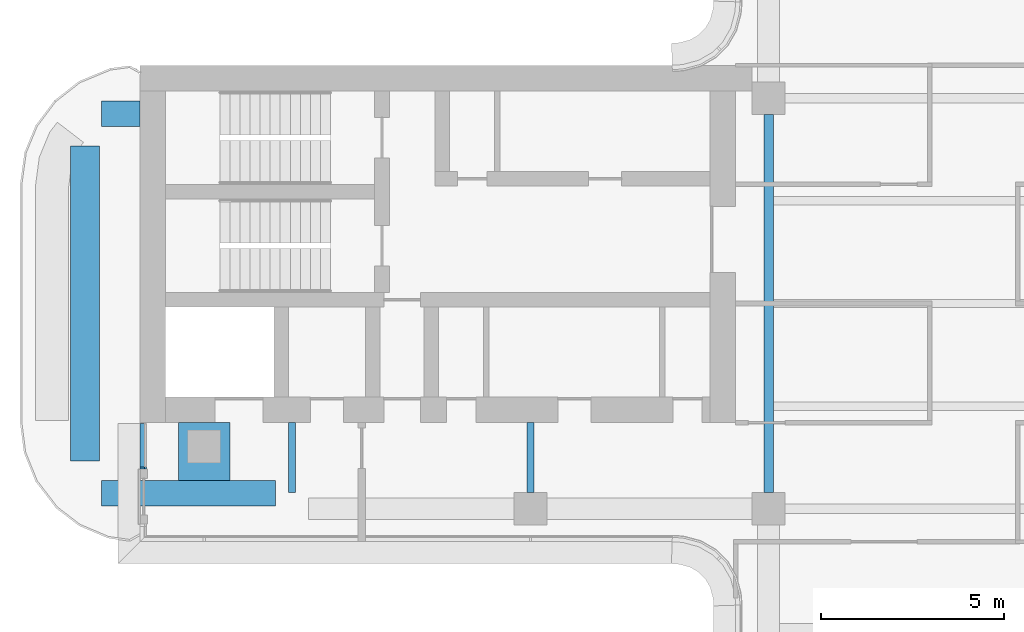
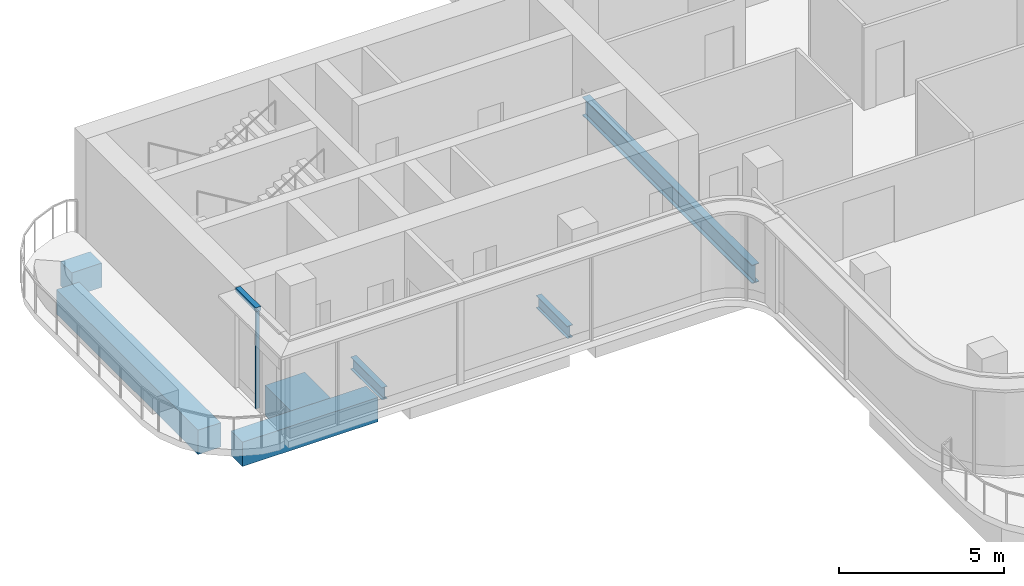
# One storey, part 4 of 18: 7 beams, 2 members, 1 element without a shape of its own.
"""IFC4 building model written with IfcOpenShell, lengths in metres."""

from ifc_helpers import new_model, si_unit, direction, frame, origin, origin_2d, place, context, subcontext, project, spatial, polyline, rectangle, i_section, outline, extrude, source, transform, mapped, material, layer, layer_set, material_profile, profile_set, type_object, element, aggregate, save


model = new_model("IFC4")

# Units and contexts
model_context = context("Model", 3, precision=1e-05, world=origin(), true_north=direction((0.0, 1.0)))
body_context = subcontext(model_context, "Body", "Model", "MODEL_VIEW")
ifc_project = project(units=[si_unit("LENGTHUNIT", "METRE"), si_unit("AREAUNIT", "SQUARE_METRE"), si_unit("VOLUMEUNIT", "CUBIC_METRE"), si_unit("PLANEANGLEUNIT", "RADIAN"), si_unit("MASSUNIT", "GRAM", prefix="KILO")], contexts=[model_context])

# Site, building, storey
site_placement = place(None, origin())
site = spatial("IfcSite", under=ifc_project, at=site_placement, CompositionType="ELEMENT")
building_placement = place(site_placement, origin())
building = spatial("IfcBuilding", under=site, at=building_placement, Name="Trellis Farm Tower", CompositionType="ELEMENT")
storey_placement = place(building_placement, frame((0.0, 0.0, 338.10009765625)))
storey = spatial("IfcBuildingStorey", under=building, at=storey_placement, Name="L76", CompositionType="ELEMENT", Elevation=338.10009765625)

# Curtain wall, member
ifc_material_1 = material(Name="Aluminium and glass curtain wall", Category="aluminium")
ifc_layer_1 = layer(ifc_material_1, 0.176025390625)
ifc_layer_set_1 = layer_set([ifc_layer_1], Name="CROWN LANTERN CURTAIN WALL CW5")
curtain_wall_type = type_object("IfcCurtainWallType", Name="CROWN LANTERN CURTAIN WALL CW5", PredefinedType="NOTDEFINED", material=ifc_layer_set_1)
curtain_wall_placement = place(storey_placement, origin())
curtain_wall = element("IfcCurtainWall", 1, at=curtain_wall_placement, inside=storey, type_object=curtain_wall_type, Name="CW5 015", PredefinedType="NOTDEFINED")
ifc_material_2 = material(Name="Aluminium extrusion 6063-T6", Category="aluminium")
ifc_layer_2 = layer(ifc_material_2, 0.176025390625)
ifc_layer_set_2 = layer_set([ifc_layer_2], Name="Aluminium extrusion 6063-T6")
member_type_1 = type_object("IfcMemberType", Name="CW5 TRANSOM 176x150", PredefinedType="USERDEFINED", material=ifc_layer_set_2)
member_1_placement = place(storey_placement, frame((0.0, 0.0, 3.599853515625)))
member_1 = element("IfcMember", 2, at=member_1_placement, type_object=member_type_1, Name="TR5 015", ObjectType="TRANSOM", PredefinedType="USERDEFINED", context=body_context, shape_type="SweptSolid", body=[
    extrude(outline(polyline([(-22.75, -3.280029296875), (-22.75, -4.52001953125), (-22.573974609375, -4.52001953125), (-22.573974609375, -3.280029296875), (-22.75, -3.280029296875)])), origin(), (0.0, 0.0, 1.0), 0.150146484375),
])

# Beams
ifc_material_3 = material(Name="Steel S355", Category="steel")
ifc_material_profile_1 = material_profile(ifc_material_3, i_section(OverallWidth=0.253662109375, OverallDepth=0.68359375, WebThickness=0.012451171875, FlangeThickness=0.021728515625, FilletRadius=0.01513671875, at=origin_2d()), Name="UB 686x254x140")
ifc_profile_set_1 = profile_set([ifc_material_profile_1], Name="Steel S355")
beam_type_1 = type_object("IfcBeamType", Name="UB 686x254x140", PredefinedType="BEAM", material=ifc_profile_set_1)
shared_shape_1 = source(origin(), body_context, "Body", "SweptSolid", [
    extrude(i_section(OverallWidth=0.253662109375, OverallDepth=0.68359375, WebThickness=0.012451171875, FlangeThickness=0.021728515625, FilletRadius=0.01513671875, at=origin_2d()), origin(), (0.0, 0.0, 1.0), 10.2998046875),
])
beam_1_placement = place(storey_placement, frame((-5.60009765625, -5.14990234375, -0.591796875), z_axis=(0.0, 1.0, 0.0), x_axis=(-1.0, 0.0, 0.0)))
element("IfcBeam", 3, at=beam_1_placement, inside=storey, type_object=beam_type_1, Name="Girder", PredefinedType="BEAM", context=body_context, shape_type="MappedRepresentation", body=[
    mapped(shared_shape_1, transform((0.0, 0.0, 0.0))),
])
ifc_material_4 = material(Name="Concrete C60/75", Category="concrete")
ifc_material_profile_2 = material_profile(ifc_material_4, rectangle(XDim=0.699951171875, YDim=0.89990234375, at=origin_2d()), Name="RC spandrel beam 700x900 C60/75")
ifc_profile_set_2 = profile_set([ifc_material_profile_2], Name="Concrete C60/75")
beam_type_2 = type_object("IfcBeamType", Name="RC spandrel beam 700x900 C60/75", PredefinedType="SPANDREL", material=ifc_profile_set_2)
shared_shape_2 = source(origin(), body_context, "Body", "SweptSolid", [
    extrude(rectangle(XDim=0.699951171875, YDim=0.89990234375, at=origin_2d()), origin(), (0.0, 0.0, 1.0), 1.050048828125),
])
beam_2_placement = place(storey_placement, frame((-23.800048828125, 5.175048828125, -0.7001953125), z_axis=(1.0, 0.0, 0.0), x_axis=(0.0, 1.0, 0.0)))
element("IfcBeam", 4, at=beam_2_placement, inside=storey, type_object=beam_type_2, Name="Girder", PredefinedType="SPANDREL", context=body_context, shape_type="MappedRepresentation", body=[
    mapped(shared_shape_2, transform((0.0, 0.0, 0.0))),
])
shared_shape_3 = source(origin(), body_context, "Body", "SweptSolid", [
    extrude(rectangle(XDim=0.699951171875, YDim=0.89990234375, at=origin_2d()), origin(), (0.0, 0.0, 1.0), 4.75),
])
beam_3_placement = place(storey_placement, frame((-23.800048828125, -5.175048828125, -0.7001953125), z_axis=(1.0, 0.0, 0.0), x_axis=(0.0, 1.0, 0.0)))
element("IfcBeam", 5, at=beam_3_placement, inside=storey, type_object=beam_type_2, Name="Girder", PredefinedType="SPANDREL", context=body_context, shape_type="MappedRepresentation", body=[
    mapped(shared_shape_3, transform((0.0, 0.0, 0.0))),
])
ifc_material_profile_3 = material_profile(ifc_material_4, rectangle(XDim=0.800048828125, YDim=0.89990234375, at=origin_2d()), Name="RC spandrel beam 800x900 C60/75")
ifc_profile_set_3 = profile_set([ifc_material_profile_3], Name="Concrete C60/75")
beam_type_3 = type_object("IfcBeamType", Name="RC spandrel beam 800x900 C60/75", PredefinedType="SPANDREL", material=ifc_profile_set_3)
shared_shape_4 = source(origin(), body_context, "Body", "SweptSolid", [
    extrude(rectangle(XDim=0.800048828125, YDim=0.89990234375, at=origin_2d()), origin(), (0.0, 0.0, 1.0), 8.60009765625),
])
beam_4_placement = place(storey_placement, frame((-24.25, -4.300048828125, -0.7001953125), z_axis=(0.0, 1.0, 0.0), x_axis=(-1.0, 0.0, 0.0)))
element("IfcBeam", 6, at=beam_4_placement, inside=storey, type_object=beam_type_3, Name="Girder", PredefinedType="SPANDREL", context=body_context, shape_type="MappedRepresentation", body=[
    mapped(shared_shape_4, transform((0.0, 0.0, 0.0))),
])
ifc_material_profile_4 = material_profile(ifc_material_3, i_section(OverallWidth=0.1904296875, OverallDepth=0.45703125, WebThickness=0.009033203125, FlangeThickness=0.014404296875, FilletRadius=0.01025390625, at=origin_2d()), Name="UB 457x191x74")
ifc_profile_set_4 = profile_set([ifc_material_profile_4], Name="Steel S355")
beam_type_4 = type_object("IfcBeamType", Name="UB 457x191x74", PredefinedType="BEAM", material=ifc_profile_set_4)
shared_shape_5 = source(origin(), body_context, "Body", "SweptSolid", [
    extrude(i_section(OverallWidth=0.1904296875, OverallDepth=0.45703125, WebThickness=0.009033203125, FlangeThickness=0.014404296875, FilletRadius=0.01025390625, at=origin_2d()), origin(), (0.0, 0.0, 1.0), 1.89990234375),
])
for number, where, z_axis, x_axis, name in (
    (7, (-18.60009765625, -5.14990234375, -0.478515625), (0.0, 1.0, 0.0), (-1.0, 0.0, 0.0), "Girder"),
    (8, (-12.10009765625, -5.14990234375, -0.478515625), (0.0, 1.0, 0.0), (-1.0, 0.0, 0.0), "Girder"),
):
    element("IfcBeam", number, at=place(storey_placement, frame(where, z_axis=z_axis, x_axis=x_axis)), inside=storey, type_object=beam_type_4, Name=name, PredefinedType="BEAM", context=body_context, shape_type="MappedRepresentation", body=[
        mapped(shared_shape_5, transform((0.0, 0.0, 0.0))),
    ])
ifc_material_5 = material(Name="Concrete C80/95", Category="concrete")
ifc_material_profile_5 = material_profile(ifc_material_5, rectangle(XDim=1.39990234375, YDim=1.10009765625, at=origin_2d()), Name="RC transfer beam 1400x1100 C80/95")
ifc_profile_set_5 = profile_set([ifc_material_profile_5], Name="Concrete C80/95")
beam_type_5 = type_object("IfcBeamType", Name="RC transfer beam 1400x1100 C80/95", PredefinedType="BEAM", material=ifc_profile_set_5)
shared_shape_6 = source(origin(), body_context, "Body", "SweptSolid", [
    extrude(rectangle(XDim=1.39990234375, YDim=1.10009765625, at=origin_2d()), origin(), (0.0, 0.0, 1.0), 1.574951171875),
])
beam_5_placement = place(storey_placement, frame((-21.0, -4.824951171875, -0.800048828125), z_axis=(0.0, 1.0, 0.0), x_axis=(-1.0, 0.0, 0.0)))
element("IfcBeam", 9, at=beam_5_placement, inside=storey, type_object=beam_type_5, Name="Transfer girder", PredefinedType="BEAM", context=body_context, shape_type="MappedRepresentation", body=[
    mapped(shared_shape_6, transform((0.0, 0.0, 0.0))),
])

# Member
ifc_material_profile_6 = material_profile(ifc_material_2, rectangle(XDim=0.06005859375, YDim=0.1201171875, at=origin_2d()), Name="MULLION 60x120")
ifc_profile_set_6 = profile_set([ifc_material_profile_6], Name="Aluminium extrusion 6063-T6")
member_type_2 = type_object("IfcMemberType", Name="CW5 MULLION 60x120", PredefinedType="MULLION", material=ifc_profile_set_6)
shared_shape_7 = source(origin(), body_context, "Body", "SweptSolid", [
    extrude(rectangle(XDim=0.06005859375, YDim=0.1201171875, at=origin_2d()), origin(), (0.0, 0.0, 1.0), 3.599853515625),
])
member_2_placement = place(storey_placement, frame((-22.68994140625, -4.489990234375, 0.0), z_axis=(0.0, 0.0, 1.0), x_axis=(0.0, -1.0, 0.0)))
member_2 = element("IfcMember", 10, at=member_2_placement, type_object=member_type_2, Name="MU5 015-01", PredefinedType="MULLION", context=body_context, shape_type="MappedRepresentation", body=[
    mapped(shared_shape_7, transform((0.0, 0.0, 0.0))),
])

aggregate(curtain_wall, [member_2, member_1])

save(model, "model.ifc")
